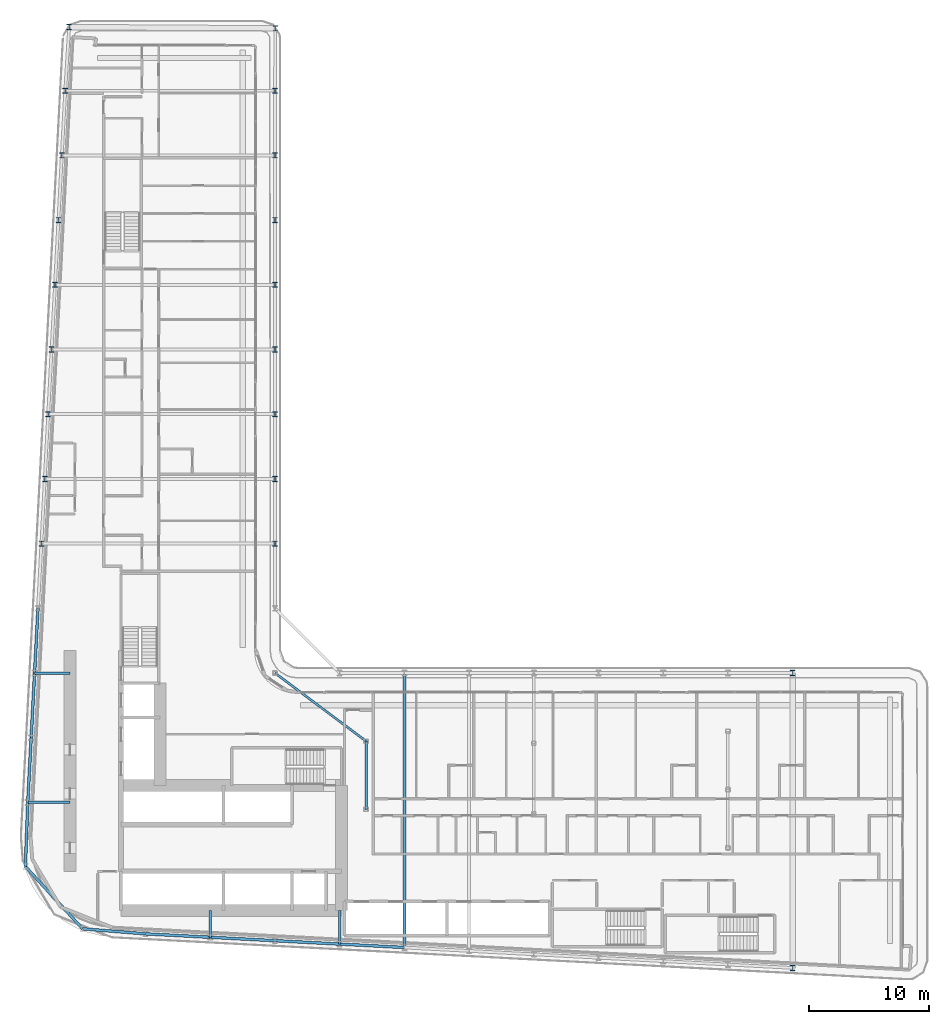
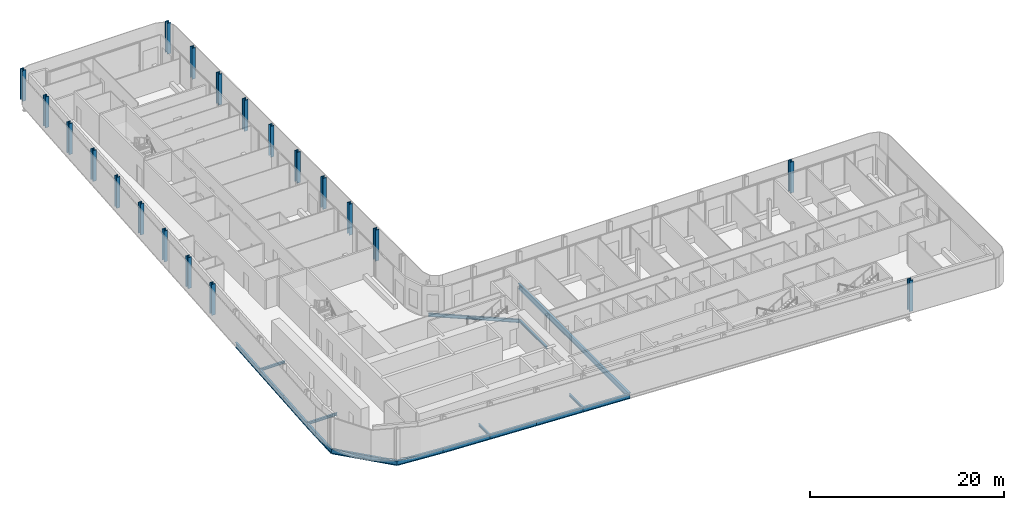
# One storey, part 3 of 29: 20 columns, 17 beams.
"""IFC4 building model written with IfcOpenShell, lengths in metres."""

from ifc_helpers import new_model, si_unit, direction, frame, origin, origin_2d, place, context, subcontext, project, spatial, i_section, extrude, material, material_profile, profile_set, type_object, element, save


model = new_model("IFC4")

# Units and contexts
model_context = context("Model", 3, precision=1e-05, world=origin(), true_north=direction((0.0, 1.0)))
body_context = subcontext(model_context, "Body", "Model", "MODEL_VIEW")
ifc_project = project(units=[si_unit("LENGTHUNIT", "METRE"), si_unit("AREAUNIT", "SQUARE_METRE"), si_unit("VOLUMEUNIT", "CUBIC_METRE"), si_unit("PLANEANGLEUNIT", "RADIAN"), si_unit("MASSUNIT", "GRAM", prefix="KILO")], contexts=[model_context])

# Site, building, storey
site_placement = place(None, origin())
site = spatial("IfcSite", under=ifc_project, at=site_placement, CompositionType="ELEMENT")
building_placement = place(site_placement, origin())
building = spatial("IfcBuilding", under=site, at=building_placement, Name="Kheshtan School and Residences Tower", CompositionType="ELEMENT")
storey_placement = place(building_placement, frame((0.0, 0.0, 61.699951171875)))
storey = spatial("IfcBuildingStorey", under=building, at=storey_placement, Name="L14", CompositionType="ELEMENT", Elevation=61.699951171875)

# Columns
ifc_material = material(Name="Steel ASTM A992 Grade 50", Category="steel")
ifc_material_profile_1 = material_profile(ifc_material, i_section(OverallWidth=0.424072265625, OverallDepth=0.47412109375, WebThickness=0.047607421875, FlangeThickness=0.0771484375, FilletRadius=0.01416015625, at=origin_2d()), Name="W360x634")
ifc_profile_set_1 = profile_set([ifc_material_profile_1], Name="Steel ASTM A992 Grade 50")
column_type = type_object("IfcColumnType", Name="Column C1 W360x634 ASTM A992 Grade 50", PredefinedType="COLUMN", material=ifc_profile_set_1)
for number, where, z_axis, x_axis, name in (
    (1, (90.800048828125, 20.989990234375, 0.0), (0.0, 0.0, 1.0), (1.0, 0.0, 0.0), "Column C006"),
    (2, (90.800048828125, 45.60009765625, 0.0), (0.0, 0.0, 1.0), (1.0, 0.0, 0.0), "Column C068"),
    (3, (28.10595703125, 56.39990234375, 0.0), (0.0, 0.0, 1.0), (1.0, 0.0, 0.0), "Column C080"),
    (4, (47.60009765625, 56.39990234375, 0.0), (0.0, 0.0, 1.0), (1.0, 0.0, 0.0), "Column C081"),
    (5, (28.389892578125, 61.800048828125, 0.0), (0.0, 0.0, 1.0), (1.0, 0.0, 0.0), "Column C082"),
    (6, (47.60009765625, 61.800048828125, 0.0), (0.0, 0.0, 1.0), (1.0, 0.0, 0.0), "Column C083"),
    (7, (28.674072265625, 67.199951171875, 0.0), (0.0, 0.0, 1.0), (1.0, 0.0, 0.0), "Column C084"),
    (8, (47.60009765625, 67.199951171875, 0.0), (0.0, 0.0, 1.0), (1.0, 0.0, 0.0), "Column C085"),
    (9, (28.9580078125, 72.60009765625, 0.0), (0.0, 0.0, 1.0), (1.0, 0.0, 0.0), "Column C086"),
    (10, (47.60009765625, 72.60009765625, 0.0), (0.0, 0.0, 1.0), (1.0, 0.0, 0.0), "Column C087"),
    (11, (29.242919921875, 78.0, 0.0), (0.0, 0.0, 1.0), (1.0, 0.0, 0.0), "Column C088"),
    (12, (47.60009765625, 78.0, 0.0), (0.0, 0.0, 1.0), (1.0, 0.0, 0.0), "Column C089"),
    (13, (29.527099609375, 83.39990234375, 0.0), (0.0, 0.0, 1.0), (1.0, 0.0, 0.0), "Column C090"),
    (14, (47.60009765625, 83.39990234375, 0.0), (0.0, 0.0, 1.0), (1.0, 0.0, 0.0), "Column C091"),
    (15, (29.81103515625, 88.800048828125, 0.0), (0.0, 0.0, 1.0), (1.0, 0.0, 0.0), "Column C098"),
    (16, (47.60009765625, 88.800048828125, 0.0), (0.0, 0.0, 1.0), (1.0, 0.0, 0.0), "Column C099"),
    (17, (30.094970703125, 94.199951171875, 0.0), (0.0, 0.0, 1.0), (1.0, 0.0, 0.0), "Column C106"),
    (18, (47.60009765625, 94.199951171875, 0.0), (0.0, 0.0, 1.0), (1.0, 0.0, 0.0), "Column C107"),
    (19, (47.6298828125, 99.402099609375, 0.0), (0.0, 0.0, 1.0), (1.0, 0.0, 0.0), "Column C113"),
    (20, (30.424072265625, 99.510009765625, 0.0), (0.0, 0.0, 1.0), (1.0, 0.0, 0.0), "Column C121"),
):
    element("IfcColumn", number, at=place(storey_placement, frame(where, z_axis=z_axis, x_axis=x_axis)), inside=storey, type_object=column_type, Name=name, PredefinedType="COLUMN", context=body_context, shape_type="SweptSolid", body=[
        extrude(i_section(OverallWidth=0.424072265625, OverallDepth=0.47412109375, WebThickness=0.047607421875, FlangeThickness=0.0771484375, FilletRadius=0.01416015625, at=origin_2d()), origin(), (0.0, 0.0, 1.0), 3.900146484375),
    ])

# Beams
ifc_material_profile_2 = material_profile(ifc_material, i_section(OverallWidth=0.202880859375, OverallDepth=0.302978515625, WebThickness=0.007568359375, FlangeThickness=0.01318359375, FilletRadius=0.009033203125, at=origin_2d()), Name="W310x60")
ifc_profile_set_2 = profile_set([ifc_material_profile_2], Name="Steel ASTM A992 Grade 50")
beam_type_1 = type_object("IfcBeamType", Name="Beam FB1 W310x60 ASTM A992 Grade 50", PredefinedType="BEAM", material=ifc_profile_set_2)
beam_1_placement = place(storey_placement, frame((53.0, 22.97998046875, -0.301513671875), z_axis=(0.0, 1.0, 0.0), x_axis=(-1.0, 0.0, 0.0)))
element("IfcBeam", 21, at=beam_1_placement, inside=storey, type_object=beam_type_1, Name="Floor beam C019", PredefinedType="BEAM", context=body_context, shape_type="SweptSolid", body=[
    extrude(i_section(OverallWidth=0.202880859375, OverallDepth=0.302978515625, WebThickness=0.007568359375, FlangeThickness=0.01318359375, FilletRadius=0.009033203125, at=origin_2d()), origin(), (0.0, 0.0, 1.0), 2.820068359375),
])
beam_2_placement = place(storey_placement, frame((42.199951171875, 23.548095703125, -0.301513671875), z_axis=(0.0, 1.0, 0.0), x_axis=(-1.0, 0.0, 0.0)))
element("IfcBeam", 22, at=beam_2_placement, inside=storey, type_object=beam_type_1, Name="Floor beam C021", PredefinedType="BEAM", context=body_context, shape_type="SweptSolid", body=[
    extrude(i_section(OverallWidth=0.202880859375, OverallDepth=0.302978515625, WebThickness=0.007568359375, FlangeThickness=0.01318359375, FilletRadius=0.009033203125, at=origin_2d()), origin(), (0.0, 0.0, 1.0), 2.251953125),
])
beam_3_placement = place(storey_placement, frame((26.968994140625, 34.800048828125, -0.301513671875), z_axis=(1.0, 0.0, 0.0), x_axis=(0.0, 1.0, 0.0)))
element("IfcBeam", 23, at=beam_3_placement, inside=storey, type_object=beam_type_1, Name="Floor beam C052", PredefinedType="BEAM", context=body_context, shape_type="SweptSolid", body=[
    extrude(i_section(OverallWidth=0.202880859375, OverallDepth=0.302978515625, WebThickness=0.007568359375, FlangeThickness=0.01318359375, FilletRadius=0.009033203125, at=origin_2d()), origin(), (0.0, 0.0, 1.0), 3.531005859375),
])
beam_4_placement = place(storey_placement, frame((27.537109375, 45.60009765625, -0.301513671875), z_axis=(1.0, 0.0, 0.0), x_axis=(0.0, 1.0, 0.0)))
element("IfcBeam", 24, at=beam_4_placement, inside=storey, type_object=beam_type_1, Name="Floor beam C059", PredefinedType="BEAM", context=body_context, shape_type="SweptSolid", body=[
    extrude(i_section(OverallWidth=0.202880859375, OverallDepth=0.302978515625, WebThickness=0.007568359375, FlangeThickness=0.01318359375, FilletRadius=0.009033203125, at=origin_2d()), origin(), (0.0, 0.0, 1.0), 2.962890625),
])
beam_5_placement = place(storey_placement, frame((55.199951171875, 34.23193359375, -0.301513671875), z_axis=(0.0, 1.0, 0.0), x_axis=(-1.0, 0.0, 0.0)))
element("IfcBeam", 25, at=beam_5_placement, inside=storey, type_object=beam_type_1, Name="Floor beam IC", PredefinedType="BEAM", context=body_context, shape_type="SweptSolid", body=[
    extrude(i_section(OverallWidth=0.202880859375, OverallDepth=0.302978515625, WebThickness=0.007568359375, FlangeThickness=0.01318359375, FilletRadius=0.009033203125, at=origin_2d()), origin(), (0.0, 0.0, 1.0), 5.68408203125),
])
ifc_material_profile_3 = material_profile(ifc_material, i_section(OverallWidth=0.180908203125, OverallDepth=0.4169921875, WebThickness=0.010986328125, FlangeThickness=0.018310546875, FilletRadius=0.012451171875, at=origin_2d()), Name="W410x85")
ifc_profile_set_3 = profile_set([ifc_material_profile_3], Name="Steel ASTM A992 Grade 50")
beam_type_2 = type_object("IfcBeamType", Name="Beam FB3 W410x85 ASTM A992 Grade 50", PredefinedType="BEAM", material=ifc_profile_set_3)
beam_6_placement = place(storey_placement, frame((47.60009765625, 45.60009765625, -0.3583984375), z_axis=(0.800798828004, -0.598933416222, 0.0), x_axis=(0.598933416222, 0.800798828004, 0.0)))
element("IfcBeam", 26, at=beam_6_placement, inside=storey, type_object=beam_type_2, Name="Floor beam IC", PredefinedType="BEAM", context=body_context, shape_type="SweptSolid", body=[
    extrude(i_section(OverallWidth=0.180908203125, OverallDepth=0.4169921875, WebThickness=0.010986328125, FlangeThickness=0.018310546875, FilletRadius=0.012451171875, at=origin_2d()), origin(), (0.0, 0.0, 1.0), 9.490234375),
])
ifc_material_profile_4 = material_profile(ifc_material, i_section(OverallWidth=0.2529296875, OverallDepth=0.677978515625, WebThickness=0.01171875, FlangeThickness=0.016357421875, FilletRadius=0.0146484375, at=origin_2d()), Name="W690x125")
ifc_profile_set_4 = profile_set([ifc_material_profile_4], Name="Steel ASTM A992 Grade 50")
beam_type_3 = type_object("IfcBeamType", Name="Beam FB6 W690x125 ASTM A992 Grade 50", PredefinedType="BEAM", material=ifc_profile_set_4)
beam_7_placement = place(storey_placement, frame((58.39990234375, 45.60009765625, -0.489013671875), z_axis=(0.0, -1.0, 0.0), x_axis=(1.0, 0.0, 0.0)))
element("IfcBeam", 27, at=beam_7_placement, inside=storey, type_object=beam_type_3, Name="Floor beam C062", PredefinedType="BEAM", context=body_context, shape_type="SweptSolid", body=[
    extrude(i_section(OverallWidth=0.2529296875, OverallDepth=0.677978515625, WebThickness=0.01171875, FlangeThickness=0.016357421875, FilletRadius=0.0146484375, at=origin_2d()), origin(), (0.0, 0.0, 1.0), 22.905029296875),
])
ifc_material_profile_5 = material_profile(ifc_material, i_section(OverallWidth=0.22998046875, OverallDepth=0.616943359375, WebThickness=0.01318359375, FlangeThickness=0.022216796875, FilletRadius=0.0185546875, at=origin_2d()), Name="W610x140")
ifc_profile_set_5 = profile_set([ifc_material_profile_5], Name="Steel ASTM A992 Grade 50")
beam_type_4 = type_object("IfcBeamType", Name="Beam SP1 W610x140 ASTM A992 Grade 50", PredefinedType="BEAM", material=ifc_profile_set_5)
for number, where, z_axis, x_axis, name in (
    (28, (58.39990234375, 22.695068359375, -0.45849609375), (-0.998610961136, 0.052689166816, 0.0), (-0.052689166816, -0.998610961136, 0.0), "Spandrel beam C018-C019"),
    (29, (53.0, 22.97998046875, -0.45849609375), (-0.998620447272, 0.05250906864, 0.0), (-0.05250906864, -0.998620447272, 0.0), "Spandrel beam C019-C020"),
):
    element("IfcBeam", number, at=place(storey_placement, frame(where, z_axis=z_axis, x_axis=x_axis)), inside=storey, type_object=beam_type_4, Name=name, PredefinedType="BEAM", context=body_context, shape_type="SweptSolid", body=[
        extrude(i_section(OverallWidth=0.22998046875, OverallDepth=0.616943359375, WebThickness=0.01318359375, FlangeThickness=0.022216796875, FilletRadius=0.0185546875, at=origin_2d()), origin(), (0.0, 0.0, 1.0), 5.407470703125),
    ])
beam_8_placement = place(storey_placement, frame((47.60009765625, 23.263916015625, -0.45849609375), z_axis=(-0.998618203458, 0.052551724256, 0.0), x_axis=(-0.052551724256, -0.998618203458, 0.0)))
element("IfcBeam", 30, at=beam_8_placement, inside=storey, type_object=beam_type_4, Name="Spandrel beam C020-C021", PredefinedType="BEAM", context=body_context, shape_type="SweptSolid", body=[
    extrude(i_section(OverallWidth=0.22998046875, OverallDepth=0.616943359375, WebThickness=0.01318359375, FlangeThickness=0.022216796875, FilletRadius=0.0185546875, at=origin_2d()), origin(), (0.0, 0.0, 1.0), 5.40771484375),
])
beam_9_placement = place(storey_placement, frame((42.199951171875, 23.548095703125, -0.45849609375), z_axis=(-0.998620447272, 0.05250906864, 0.0), x_axis=(-0.05250906864, -0.998620447272, 0.0)))
element("IfcBeam", 31, at=beam_9_placement, inside=storey, type_object=beam_type_4, Name="Spandrel beam C021-C022", PredefinedType="BEAM", context=body_context, shape_type="SweptSolid", body=[
    extrude(i_section(OverallWidth=0.22998046875, OverallDepth=0.616943359375, WebThickness=0.01318359375, FlangeThickness=0.022216796875, FilletRadius=0.0185546875, at=origin_2d()), origin(), (0.0, 0.0, 1.0), 5.407470703125),
])
beam_10_placement = place(storey_placement, frame((36.800048828125, 23.83203125, -0.45849609375), z_axis=(-0.996748565693, 0.08057479003, 0.0), x_axis=(-0.08057479003, -0.996748565693, 0.0)))
element("IfcBeam", 32, at=beam_10_placement, inside=storey, type_object=beam_type_4, Name="Spandrel beam C022-C025", PredefinedType="BEAM", context=body_context, shape_type="SweptSolid", body=[
    extrude(i_section(OverallWidth=0.22998046875, OverallDepth=0.616943359375, WebThickness=0.01318359375, FlangeThickness=0.022216796875, FilletRadius=0.0185546875, at=origin_2d()), origin(), (0.0, 0.0, 1.0), 5.275146484375),
])
beam_11_placement = place(storey_placement, frame((31.5419921875, 24.257080078125, -0.45849609375), z_axis=(-0.676418406149, 0.736517576045, 0.0), x_axis=(-0.736517576045, -0.676418406149, 0.0)))
element("IfcBeam", 33, at=beam_11_placement, inside=storey, type_object=beam_type_4, Name="Spandrel beam C025-C038", PredefinedType="BEAM", context=body_context, shape_type="SweptSolid", body=[
    extrude(i_section(OverallWidth=0.22998046875, OverallDepth=0.616943359375, WebThickness=0.01318359375, FlangeThickness=0.022216796875, FilletRadius=0.0185546875, at=origin_2d()), origin(), (0.0, 0.0, 1.0), 7.05615234375),
])
beam_12_placement = place(storey_placement, frame((26.76904296875, 29.4541015625, -0.45849609375), z_axis=(0.037376249491, 0.999301263871, 0.0), x_axis=(-0.999301263871, 0.037376249491, 0.0)))
element("IfcBeam", 34, at=beam_12_placement, inside=storey, type_object=beam_type_4, Name="Spandrel beam C038-C052", PredefinedType="BEAM", context=body_context, shape_type="SweptSolid", body=[
    extrude(i_section(OverallWidth=0.22998046875, OverallDepth=0.616943359375, WebThickness=0.01318359375, FlangeThickness=0.022216796875, FilletRadius=0.0185546875, at=origin_2d()), origin(), (0.0, 0.0, 1.0), 5.349609375),
])
beam_13_placement = place(storey_placement, frame((26.968994140625, 34.800048828125, -0.45849609375), z_axis=(0.05250906864, 0.998620447272, 0.0), x_axis=(-0.998620447272, 0.05250906864, 0.0)))
element("IfcBeam", 35, at=beam_13_placement, inside=storey, type_object=beam_type_4, Name="Spandrel beam C052-C056", PredefinedType="BEAM", context=body_context, shape_type="SweptSolid", body=[
    extrude(i_section(OverallWidth=0.22998046875, OverallDepth=0.616943359375, WebThickness=0.01318359375, FlangeThickness=0.022216796875, FilletRadius=0.0185546875, at=origin_2d()), origin(), (0.0, 0.0, 1.0), 5.407470703125),
])
beam_14_placement = place(storey_placement, frame((27.2529296875, 40.199951171875, -0.45849609375), z_axis=(0.052551724256, 0.998618203458, 0.0), x_axis=(-0.998618203458, 0.052551724256, 0.0)))
element("IfcBeam", 36, at=beam_14_placement, inside=storey, type_object=beam_type_4, Name="Spandrel beam C056-C059", PredefinedType="BEAM", context=body_context, shape_type="SweptSolid", body=[
    extrude(i_section(OverallWidth=0.22998046875, OverallDepth=0.616943359375, WebThickness=0.01318359375, FlangeThickness=0.022216796875, FilletRadius=0.0185546875, at=origin_2d()), origin(), (0.0, 0.0, 1.0), 5.40771484375),
])
beam_15_placement = place(storey_placement, frame((27.537109375, 45.60009765625, -0.45849609375), z_axis=(0.052689166816, 0.998610961136, 0.0), x_axis=(-0.998610961136, 0.052689166816, 0.0)))
element("IfcBeam", 37, at=beam_15_placement, inside=storey, type_object=beam_type_4, Name="Spandrel beam C059-C078", PredefinedType="BEAM", context=body_context, shape_type="SweptSolid", body=[
    extrude(i_section(OverallWidth=0.22998046875, OverallDepth=0.616943359375, WebThickness=0.01318359375, FlangeThickness=0.022216796875, FilletRadius=0.0185546875, at=origin_2d()), origin(), (0.0, 0.0, 1.0), 5.407470703125),
])

save(model, "model.ifc")
